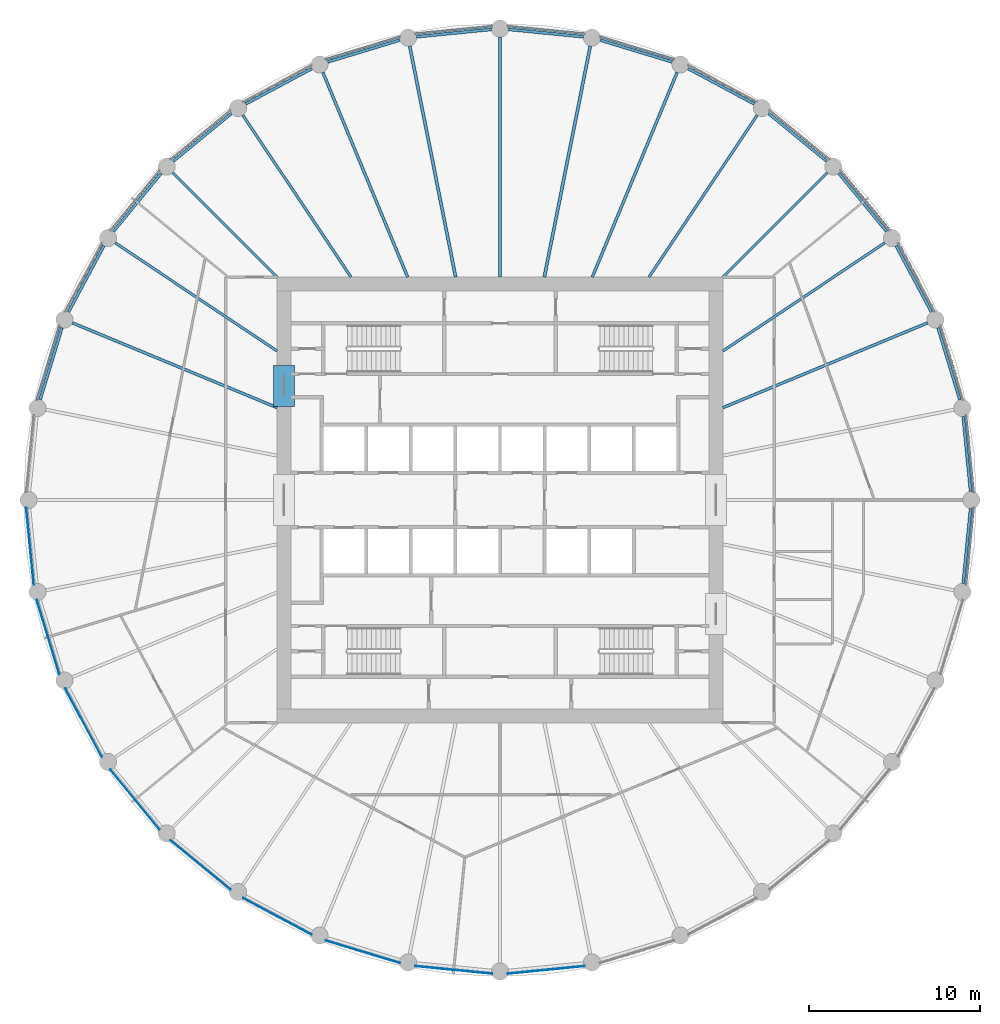
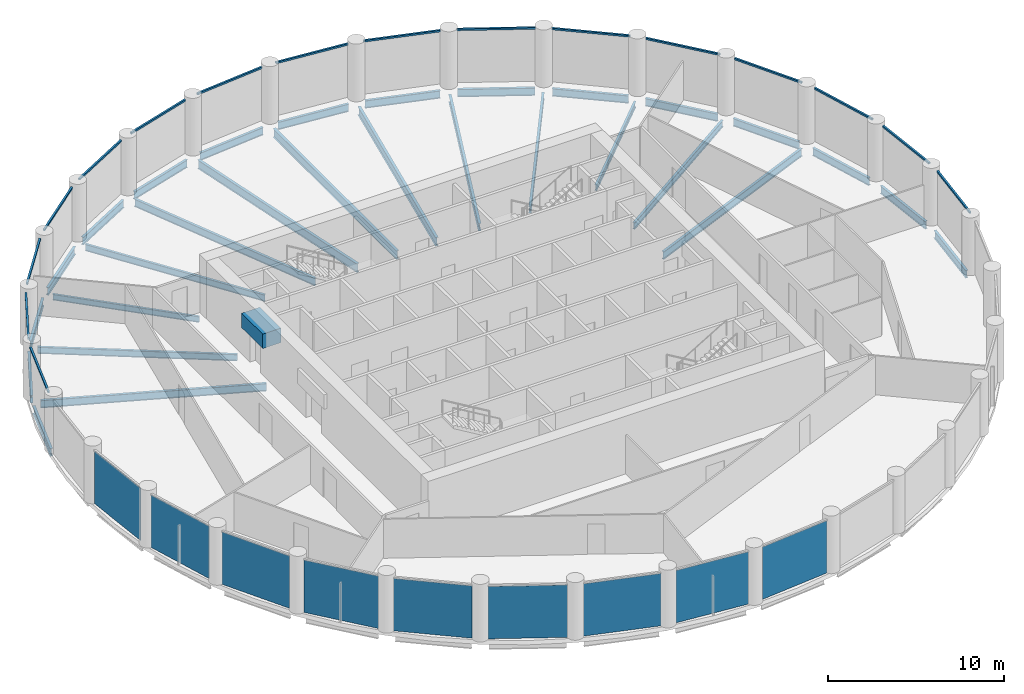
# One storey, part 2 of 8: 30 beams, 16 members, 9 plates, 25 elements without a shape of their own.
"""IFC4 building model written with IfcOpenShell, lengths in metres."""

from ifc_helpers import new_model, si_unit, direction, frame, origin, origin_2d, place, context, subcontext, project, spatial, rectangle, i_section, extrude, material, layer, layer_set, material_profile, profile_set, type_object, element, aggregate, save


model = new_model("IFC4")

# Units and contexts
model_context = context("Model", 3, precision=1e-05, world=origin(), true_north=direction((0.0, 1.0)))
body_context = subcontext(model_context, "Body", "Model", "MODEL_VIEW")
ifc_project = project(units=[si_unit("LENGTHUNIT", "METRE"), si_unit("AREAUNIT", "SQUARE_METRE"), si_unit("VOLUMEUNIT", "CUBIC_METRE"), si_unit("PLANEANGLEUNIT", "RADIAN"), si_unit("MASSUNIT", "GRAM", prefix="KILO")], contexts=[model_context])

# Site, building, storey
site_placement = place(None, origin())
site = spatial("IfcSite", under=ifc_project, at=site_placement, CompositionType="ELEMENT")
building_placement = place(site_placement, origin())
building = spatial("IfcBuilding", under=site, at=building_placement, Name="Corvane Civic Tower", CompositionType="ELEMENT")
storey_placement = place(building_placement, frame((0.0, 0.0, 205.5)))
storey = spatial("IfcBuildingStorey", under=building, at=storey_placement, Name="L48", CompositionType="ELEMENT", Elevation=205.5)

# Beams
ifc_material_1 = material(Name="Concrete C50/60", Category="concrete")
ifc_material_profile_1 = material_profile(ifc_material_1, rectangle(XDim=1.199951171875, YDim=1.0, at=origin_2d()), Name="COUPLING BEAM 1200X1000")
ifc_profile_set_1 = profile_set([ifc_material_profile_1], Name="Concrete C50/60")
beam_type_1 = type_object("IfcBeamType", Name="COUPLING BEAM COUPLING BEAM 1200X1000", PredefinedType="BEAM", material=ifc_profile_set_1)
beam_1_placement = place(storey_placement, frame((-12.60009765625, 5.449951171875, 2.60009765625), z_axis=(0.0, 1.0, 0.0), x_axis=(-1.0, 0.0, 0.0)))
element("IfcBeam", 1, at=beam_1_placement, inside=storey, type_object=beam_type_1, Name="BM-L48-cpl-CW-WN", PredefinedType="BEAM", context=body_context, shape_type="SweptSolid", body=[
    extrude(rectangle(XDim=1.199951171875, YDim=1.0, at=origin_2d()), origin(), (0.0, 0.0, 1.0), 2.400146484375),
])
ifc_material_2 = material(Name="Steel ASTM A992 Gr 50", Category="steel")
ifc_material_profile_2 = material_profile(ifc_material_2, i_section(OverallWidth=0.165771484375, OverallDepth=0.5283203125, WebThickness=0.009765625, FlangeThickness=0.013671875, at=origin_2d()), Name="W21X50")
ifc_profile_set_2 = profile_set([ifc_material_profile_2], Name="Steel ASTM A992 Gr 50")
beam_type_2 = type_object("IfcBeamType", Name="EDGE BEAM W21X50", PredefinedType="BEAM", material=ifc_profile_set_2)
beam_2_placement = place(storey_placement, frame((0.49755859375, 27.450927734375, -0.564208984375), z_axis=(0.995189593769, -0.097967711281, 0.0), x_axis=(0.097967711281, 0.995189593769, 0.0)))
element("IfcBeam", 2, at=beam_2_placement, inside=storey, type_object=beam_type_2, Name="BM-L48-E01", PredefinedType="BEAM", context=body_context, shape_type="SweptSolid", body=[
    extrude(i_section(OverallWidth=0.165771484375, OverallDepth=0.5283203125, WebThickness=0.009765625, FlangeThickness=0.013671875, at=origin_2d()), origin(), (0.0, 0.0, 1.0), 4.39111328125),
])
beam_3_placement = place(storey_placement, frame((5.843505859375, 26.826416015625, -0.564208984375), z_axis=(0.956949547653, -0.290254307888, 0.0), x_axis=(0.290254307888, 0.956949547653, 0.0)))
element("IfcBeam", 3, at=beam_3_placement, inside=storey, type_object=beam_type_2, Name="BM-L48-E02", PredefinedType="BEAM", context=body_context, shape_type="SweptSolid", body=[
    extrude(i_section(OverallWidth=0.165771484375, OverallDepth=0.5283203125, WebThickness=0.009765625, FlangeThickness=0.013671875, at=origin_2d()), origin(), (0.0, 0.0, 1.0), 4.390625),
])
for number, where, z_axis, x_axis, name in (
    (4, (10.964599609375, 25.171142578125, -0.564208984375), (0.881907756852, -0.471422006704, 0.0), (0.471422006704, 0.881907756852, 0.0), "BM-L48-E03"),
    (5, (15.66455078125, 22.54833984375, -0.564208984375), (0.773030026524, -0.634369433447, 0.0), (0.634369433447, 0.773030026524, 0.0), "BM-L48-E04"),
    (6, (19.7626953125, 19.05908203125, -0.564208984375), (0.634369433447, -0.773030026524, 0.0), (0.773030026524, 0.634369433447, 0.0), "BM-L48-E05"),
    (7, (23.10107421875, 14.837158203125, -0.564208984375), (0.471422006704, -0.881907756852, 0.0), (0.881907756852, 0.471422006704, 0.0), "BM-L48-E06"),
):
    element("IfcBeam", number, at=place(storey_placement, frame(where, z_axis=z_axis, x_axis=x_axis)), inside=storey, type_object=beam_type_2, Name=name, PredefinedType="BEAM", context=body_context, shape_type="SweptSolid", body=[
        extrude(i_section(OverallWidth=0.165771484375, OverallDepth=0.5283203125, WebThickness=0.009765625, FlangeThickness=0.013671875, at=origin_2d()), origin(), (0.0, 0.0, 1.0), 4.39111328125),
    ])
beam_4_placement = place(storey_placement, frame((25.552001953125, 10.045166015625, -0.564208984375), z_axis=(0.290254307888, -0.956949547653, 0.0), x_axis=(0.956949547653, 0.290254307888, 0.0)))
element("IfcBeam", 8, at=beam_4_placement, inside=storey, type_object=beam_type_2, Name="BM-L48-E07", PredefinedType="BEAM", context=body_context, shape_type="SweptSolid", body=[
    extrude(i_section(OverallWidth=0.165771484375, OverallDepth=0.5283203125, WebThickness=0.009765625, FlangeThickness=0.013671875, at=origin_2d()), origin(), (0.0, 0.0, 1.0), 4.390625),
])
for number, where, z_axis, x_axis, name in (
    (9, (27.020751953125, 4.867431640625, -0.564208984375), (0.097967711281, -0.995189593769, 0.0), (0.995189593769, 0.097967711281, 0.0), "BM-L48-E08"),
    (10, (27.450927734375, -0.49755859375, -0.564208984375), (-0.097967711281, -0.995189593769, 0.0), (0.995189593769, -0.097967711281, 0.0), "BM-L48-E09"),
):
    element("IfcBeam", number, at=place(storey_placement, frame(where, z_axis=z_axis, x_axis=x_axis)), inside=storey, type_object=beam_type_2, Name=name, PredefinedType="BEAM", context=body_context, shape_type="SweptSolid", body=[
        extrude(i_section(OverallWidth=0.165771484375, OverallDepth=0.5283203125, WebThickness=0.009765625, FlangeThickness=0.013671875, at=origin_2d()), origin(), (0.0, 0.0, 1.0), 4.39111328125),
    ])
beam_5_placement = place(storey_placement, frame((-26.826416015625, 5.843505859375, -0.564208984375), z_axis=(0.290254307888, 0.956949547653, 0.0), x_axis=(-0.956949547653, 0.290254307888, 0.0)))
element("IfcBeam", 11, at=beam_5_placement, inside=storey, type_object=beam_type_2, Name="BM-L48-E26", PredefinedType="BEAM", context=body_context, shape_type="SweptSolid", body=[
    extrude(i_section(OverallWidth=0.165771484375, OverallDepth=0.5283203125, WebThickness=0.009765625, FlangeThickness=0.013671875, at=origin_2d()), origin(), (0.0, 0.0, 1.0), 4.390625),
])
for number, where, z_axis, x_axis, name in (
    (12, (-25.171142578125, 10.964599609375, -0.564208984375), (0.471422006704, 0.881907756852, 0.0), (-0.881907756852, 0.471422006704, 0.0), "BM-L48-E27"),
    (13, (-22.54833984375, 15.66455078125, -0.564208984375), (0.634369433447, 0.773030026524, 0.0), (-0.773030026524, 0.634369433447, 0.0), "BM-L48-E28"),
    (14, (-19.05908203125, 19.7626953125, -0.564208984375), (0.773030026524, 0.634369433447, 0.0), (-0.634369433447, 0.773030026524, 0.0), "BM-L48-E29"),
    (15, (-14.837158203125, 23.10107421875, -0.564208984375), (0.881907756852, 0.471422006704, 0.0), (-0.471422006704, 0.881907756852, 0.0), "BM-L48-E30"),
):
    element("IfcBeam", number, at=place(storey_placement, frame(where, z_axis=z_axis, x_axis=x_axis)), inside=storey, type_object=beam_type_2, Name=name, PredefinedType="BEAM", context=body_context, shape_type="SweptSolid", body=[
        extrude(i_section(OverallWidth=0.165771484375, OverallDepth=0.5283203125, WebThickness=0.009765625, FlangeThickness=0.013671875, at=origin_2d()), origin(), (0.0, 0.0, 1.0), 4.39111328125),
    ])
beam_6_placement = place(storey_placement, frame((-10.045166015625, 25.552001953125, -0.564208984375), z_axis=(0.956949547653, 0.290254307888, 0.0), x_axis=(-0.290254307888, 0.956949547653, 0.0)))
element("IfcBeam", 16, at=beam_6_placement, inside=storey, type_object=beam_type_2, Name="BM-L48-E31", PredefinedType="BEAM", context=body_context, shape_type="SweptSolid", body=[
    extrude(i_section(OverallWidth=0.165771484375, OverallDepth=0.5283203125, WebThickness=0.009765625, FlangeThickness=0.013671875, at=origin_2d()), origin(), (0.0, 0.0, 1.0), 4.390625),
])
beam_7_placement = place(storey_placement, frame((-4.867431640625, 27.020751953125, -0.564208984375), z_axis=(0.995189593769, 0.097967711281, 0.0), x_axis=(-0.097967711281, 0.995189593769, 0.0)))
element("IfcBeam", 17, at=beam_7_placement, inside=storey, type_object=beam_type_2, Name="BM-L48-E32", PredefinedType="BEAM", context=body_context, shape_type="SweptSolid", body=[
    extrude(i_section(OverallWidth=0.165771484375, OverallDepth=0.5283203125, WebThickness=0.009765625, FlangeThickness=0.013671875, at=origin_2d()), origin(), (0.0, 0.0, 1.0), 4.39111328125),
])
ifc_material_3 = material(Name="Steel ASTM A992 Gr 50", Category="steel")
ifc_material_profile_3 = material_profile(ifc_material_3, i_section(OverallWidth=0.140380859375, OverallDepth=0.40380859375, WebThickness=0.007080078125, FlangeThickness=0.01123046875, at=origin_2d()), Name="W16X31")
ifc_profile_set_3 = profile_set([ifc_material_profile_3], Name="Steel ASTM A992 Gr 50")
beam_type_3 = type_object("IfcBeamType", Name="FLOOR GIRDER W16X31", PredefinedType="BEAM", material=ifc_profile_set_3)
for number, where, z_axis, x_axis, name in (
    (18, (13.0, 13.0, -0.501953125), (0.707106781187, 0.707106781187, 0.0), (-0.707106781187, 0.707106781187, 0.0), "BM-L48-G05"),
    (19, (-13.0, 13.0, -0.501953125), (-0.707106781187, 0.707106781187, 0.0), (-0.707106781187, -0.707106781187, 0.0), "BM-L48-G29"),
):
    element("IfcBeam", number, at=place(storey_placement, frame(where, z_axis=z_axis, x_axis=x_axis)), inside=storey, type_object=beam_type_3, Name=name, PredefinedType="BEAM", context=body_context, shape_type="SweptSolid", body=[
        extrude(i_section(OverallWidth=0.140380859375, OverallDepth=0.40380859375, WebThickness=0.007080078125, FlangeThickness=0.01123046875, at=origin_2d()), origin(), (0.0, 0.0, 1.0), 8.614990234375),
    ])
ifc_material_4 = material(Name="Steel ASTM A992 Gr 50", Category="steel")
ifc_material_profile_4 = material_profile(ifc_material_4, i_section(OverallWidth=0.15283203125, OverallDepth=0.45458984375, WebThickness=0.008056640625, FlangeThickness=0.013427734375, at=origin_2d()), Name="W18X40")
ifc_profile_set_4 = profile_set([ifc_material_profile_4], Name="Steel ASTM A992 Gr 50")
beam_type_4 = type_object("IfcBeamType", Name="FLOOR GIRDER W18X40", PredefinedType="BEAM", material=ifc_profile_set_4)
for number, where, z_axis, x_axis, name in (
    (20, (8.686279296875, 13.0, -0.52734375), (0.555577326485, 0.831464872557, 0.0), (-0.831464872557, 0.555577326485, 0.0), "BM-L48-G04"),
    (21, (13.0, 8.686279296875, -0.52734375), (0.831464872557, 0.555577326485, 0.0), (-0.555577326485, 0.831464872557, 0.0), "BM-L48-G06"),
    (22, (-13.0, 8.686279296875, -0.52734375), (-0.831464872557, 0.555577326485, 0.0), (-0.555577326485, -0.831464872557, 0.0), "BM-L48-G28"),
    (23, (-8.686279296875, 13.0, -0.52734375), (-0.555577326485, 0.831464872557, 0.0), (-0.831464872557, -0.555577326485, 0.0), "BM-L48-G30"),
):
    element("IfcBeam", number, at=place(storey_placement, frame(where, z_axis=z_axis, x_axis=x_axis)), inside=storey, type_object=beam_type_4, Name=name, PredefinedType="BEAM", context=body_context, shape_type="SweptSolid", body=[
        extrude(i_section(OverallWidth=0.15283203125, OverallDepth=0.45458984375, WebThickness=0.008056640625, FlangeThickness=0.013427734375, at=origin_2d()), origin(), (0.0, 0.0, 1.0), 11.365234375),
    ])
ifc_material_5 = material(Name="Steel ASTM A992 Gr 50", Category="steel")
ifc_material_profile_5 = material_profile(ifc_material_5, i_section(OverallWidth=0.165771484375, OverallDepth=0.5283203125, WebThickness=0.009765625, FlangeThickness=0.013671875, at=origin_2d()), Name="W21X50")
ifc_profile_set_5 = profile_set([ifc_material_profile_5], Name="Steel ASTM A992 Gr 50")
beam_type_5 = type_object("IfcBeamType", Name="FLOOR GIRDER W21X50", PredefinedType="BEAM", material=ifc_profile_set_5)
for number, where, z_axis, x_axis, name in (
    (24, (5.384765625, 13.0, -0.564208984375), (0.382686450378, 0.923878282404, 0.0), (-0.923878282404, 0.382686450378, 0.0), "BM-L48-G03"),
    (25, (13.0, 5.384765625, -0.564208984375), (0.923878282404, 0.382686450378, 0.0), (-0.382686450378, 0.923878282404, 0.0), "BM-L48-G07"),
    (26, (-13.0, 5.384765625, -0.564208984375), (-0.923878282404, 0.382686450378, 0.0), (-0.382686450378, -0.923878282404, 0.0), "BM-L48-G27"),
    (27, (-5.384765625, 13.0, -0.564208984375), (-0.382686450378, 0.923878282404, 0.0), (-0.923878282404, -0.382686450378, 0.0), "BM-L48-G31"),
):
    element("IfcBeam", number, at=place(storey_placement, frame(where, z_axis=z_axis, x_axis=x_axis)), inside=storey, type_object=beam_type_5, Name=name, PredefinedType="BEAM", context=body_context, shape_type="SweptSolid", body=[
        extrude(i_section(OverallWidth=0.165771484375, OverallDepth=0.5283203125, WebThickness=0.009765625, FlangeThickness=0.013671875, at=origin_2d()), origin(), (0.0, 0.0, 1.0), 12.928955078125),
    ])
ifc_material_6 = material(Name="Steel ASTM A992 Gr 50", Category="steel")
ifc_material_profile_6 = material_profile(ifc_material_6, i_section(OverallWidth=0.177978515625, OverallDepth=0.599365234375, WebThickness=0.010009765625, FlangeThickness=0.012939453125, at=origin_2d()), Name="W24X55")
ifc_profile_set_6 = profile_set([ifc_material_profile_6], Name="Steel ASTM A992 Gr 50")
beam_type_6 = type_object("IfcBeamType", Name="FLOOR GIRDER W24X55", PredefinedType="BEAM", material=ifc_profile_set_6)
beam_8_placement = place(storey_placement, frame((0.0, 13.0, -0.599609375), z_axis=(0.0, 1.0, 0.0), x_axis=(-1.0, 0.0, 0.0)))
element("IfcBeam", 28, at=beam_8_placement, inside=storey, type_object=beam_type_6, Name="BM-L48-G01", PredefinedType="BEAM", context=body_context, shape_type="SweptSolid", body=[
    extrude(i_section(OverallWidth=0.177978515625, OverallDepth=0.599365234375, WebThickness=0.010009765625, FlangeThickness=0.012939453125, at=origin_2d()), origin(), (0.0, 0.0, 1.0), 14.0),
])
for number, where, z_axis, x_axis, name in (
    (29, (2.5859375, 13.0, -0.599609375), (0.195077644118, 0.980787802109, 0.0), (-0.980787802109, 0.195077644118, 0.0), "BM-L48-G02"),
    (30, (-2.5859375, 13.0, -0.599609375), (-0.195077644118, 0.980787802109, 0.0), (-0.980787802109, -0.195077644118, 0.0), "BM-L48-G32"),
):
    element("IfcBeam", number, at=place(storey_placement, frame(where, z_axis=z_axis, x_axis=x_axis)), inside=storey, type_object=beam_type_6, Name=name, PredefinedType="BEAM", context=body_context, shape_type="SweptSolid", body=[
        extrude(i_section(OverallWidth=0.177978515625, OverallDepth=0.599365234375, WebThickness=0.010009765625, FlangeThickness=0.012939453125, at=origin_2d()), origin(), (0.0, 0.0, 1.0), 13.745361328125),
    ])

# Curtain wall, member
ifc_material_7 = material(Name="Anodised aluminium bronze", Category="aluminium")
curtain_wall_type = type_object("IfcCurtainWallType", Name="TOWER CW-T2 STICK CURTAIN WALL", PredefinedType="NOTDEFINED", material=ifc_material_7)
curtain_wall_1_placement = place(storey_placement, origin())
curtain_wall_1 = element("IfcCurtainWall", 31, at=curtain_wall_1_placement, inside=storey, type_object=curtain_wall_type, Name="Curtain wall CW-T2 L48 bay 01", PredefinedType="NOTDEFINED")
ifc_material_8 = material(Name="Anodised aluminium bronze", Category="aluminium")
ifc_material_profile_7 = material_profile(ifc_material_8, rectangle(XDim=0.1201171875, YDim=0.1201171875, at=origin_2d()), Name="TOWER CW-T2 TRANSOM 120x120")
ifc_profile_set_7 = profile_set([ifc_material_profile_7], Name="Anodised aluminium bronze")
member_type = type_object("IfcMemberType", Name="TOWER CW-T2 TRANSOM 120x120", PredefinedType="USERDEFINED", material=ifc_profile_set_7)
member_1_placement = place(storey_placement, frame((0.452392578125, 27.635498046875, 3.68994140625), z_axis=(0.995182207386, -0.098042715701, 0.0), x_axis=(0.098042715701, 0.995182207386, 0.0)))
member_1 = element("IfcMember", 32, at=member_1_placement, type_object=member_type, Name="Transom CW-T2 L48 01.1", ObjectType="TRANSOM", PredefinedType="USERDEFINED", context=body_context, shape_type="SweptSolid", body=[
    extrude(rectangle(XDim=0.1201171875, YDim=0.1201171875, at=origin_2d()), origin(), (0.0, 0.0, 1.0), 4.51708984375),
])
aggregate(curtain_wall_1, [member_1])

curtain_wall_2_placement = place(storey_placement, origin())
curtain_wall_2 = element("IfcCurtainWall", 33, at=curtain_wall_2_placement, inside=storey, type_object=curtain_wall_type, Name="Curtain wall CW-T2 L48 bay 02", PredefinedType="NOTDEFINED")
member_2_placement = place(storey_placement, frame((5.8349609375, 27.016357421875, 3.68994140625), z_axis=(0.956941182173, -0.2902818869, 0.0), x_axis=(0.2902818869, 0.956941182173, 0.0)))
member_2 = element("IfcMember", 34, at=member_2_placement, type_object=member_type, Name="Transom CW-T2 L48 02.1", ObjectType="TRANSOM", PredefinedType="USERDEFINED", context=body_context, shape_type="SweptSolid", body=[
    extrude(rectangle(XDim=0.1201171875, YDim=0.1201171875, at=origin_2d()), origin(), (0.0, 0.0, 1.0), 4.517333984375),
])
aggregate(curtain_wall_2, [member_2])

curtain_wall_3_placement = place(storey_placement, origin())
curtain_wall_3 = element("IfcCurtainWall", 35, at=curtain_wall_3_placement, inside=storey, type_object=curtain_wall_type, Name="Curtain wall CW-T2 L48 bay 03", PredefinedType="NOTDEFINED")
member_3_placement = place(storey_placement, frame((10.993408203125, 25.35888671875, 3.68994140625), z_axis=(0.881924695689, -0.471390317183, 0.0), x_axis=(0.471390317183, 0.881924695689, 0.0)))
member_3 = element("IfcMember", 36, at=member_3_placement, type_object=member_type, Name="Transom CW-T2 L48 03.1", ObjectType="TRANSOM", PredefinedType="USERDEFINED", context=body_context, shape_type="SweptSolid", body=[
    extrude(rectangle(XDim=0.1201171875, YDim=0.1201171875, at=origin_2d()), origin(), (0.0, 0.0, 1.0), 4.517333984375),
])
aggregate(curtain_wall_3, [member_3])

curtain_wall_4_placement = place(storey_placement, origin())
curtain_wall_4 = element("IfcCurtainWall", 37, at=curtain_wall_4_placement, inside=storey, type_object=curtain_wall_type, Name="Curtain wall CW-T2 L48 bay 04", PredefinedType="NOTDEFINED")
member_4_placement = place(storey_placement, frame((15.7294921875, 22.726806640625, 3.68994140625), z_axis=(0.773014925698, -0.634387834569, 0.0), x_axis=(0.634387834569, 0.773014925698, 0.0)))
member_4 = element("IfcMember", 38, at=member_4_placement, type_object=member_type, Name="Transom CW-T2 L48 04.1", ObjectType="TRANSOM", PredefinedType="USERDEFINED", context=body_context, shape_type="SweptSolid", body=[
    extrude(rectangle(XDim=0.1201171875, YDim=0.1201171875, at=origin_2d()), origin(), (0.0, 0.0, 1.0), 4.517333984375),
])
aggregate(curtain_wall_4, [member_4])

curtain_wall_5_placement = place(storey_placement, origin())
curtain_wall_5 = element("IfcCurtainWall", 39, at=curtain_wall_5_placement, inside=storey, type_object=curtain_wall_type, Name="Curtain wall CW-T2 L48 bay 05", PredefinedType="NOTDEFINED")
member_5_placement = place(storey_placement, frame((19.861083984375, 19.221435546875, 3.68994140625), z_axis=(0.634387834569, -0.773014925698, 0.0), x_axis=(0.773014925698, 0.634387834569, 0.0)))
member_5 = element("IfcMember", 40, at=member_5_placement, type_object=member_type, Name="Transom CW-T2 L48 05.1", ObjectType="TRANSOM", PredefinedType="USERDEFINED", context=body_context, shape_type="SweptSolid", body=[
    extrude(rectangle(XDim=0.1201171875, YDim=0.1201171875, at=origin_2d()), origin(), (0.0, 0.0, 1.0), 4.517333984375),
])
aggregate(curtain_wall_5, [member_5])

curtain_wall_6_placement = place(storey_placement, origin())
curtain_wall_6 = element("IfcCurtainWall", 41, at=curtain_wall_6_placement, inside=storey, type_object=curtain_wall_type, Name="Curtain wall CW-T2 L48 bay 06", PredefinedType="NOTDEFINED")
member_6_placement = place(storey_placement, frame((23.2294921875, 14.977294921875, 3.68994140625), z_axis=(0.471390317183, -0.881924695689, 0.0), x_axis=(0.881924695689, 0.471390317183, 0.0)))
member_6 = element("IfcMember", 42, at=member_6_placement, type_object=member_type, Name="Transom CW-T2 L48 06.1", ObjectType="TRANSOM", PredefinedType="USERDEFINED", context=body_context, shape_type="SweptSolid", body=[
    extrude(rectangle(XDim=0.1201171875, YDim=0.1201171875, at=origin_2d()), origin(), (0.0, 0.0, 1.0), 4.517333984375),
])
aggregate(curtain_wall_6, [member_6])

curtain_wall_7_placement = place(storey_placement, origin())
curtain_wall_7 = element("IfcCurtainWall", 43, at=curtain_wall_7_placement, inside=storey, type_object=curtain_wall_type, Name="Curtain wall CW-T2 L48 bay 07", PredefinedType="NOTDEFINED")
member_7_placement = place(storey_placement, frame((25.705078125, 10.15771484375, 3.68994140625), z_axis=(0.2902818869, -0.956941182173, 0.0), x_axis=(0.956941182173, 0.2902818869, 0.0)))
member_7 = element("IfcMember", 44, at=member_7_placement, type_object=member_type, Name="Transom CW-T2 L48 07.1", ObjectType="TRANSOM", PredefinedType="USERDEFINED", context=body_context, shape_type="SweptSolid", body=[
    extrude(rectangle(XDim=0.1201171875, YDim=0.1201171875, at=origin_2d()), origin(), (0.0, 0.0, 1.0), 4.517333984375),
])
aggregate(curtain_wall_7, [member_7])

curtain_wall_8_placement = place(storey_placement, origin())
curtain_wall_8 = element("IfcCurtainWall", 45, at=curtain_wall_8_placement, inside=storey, type_object=curtain_wall_type, Name="Curtain wall CW-T2 L48 bay 08", PredefinedType="NOTDEFINED")
member_8_placement = place(storey_placement, frame((27.192626953125, 4.94775390625, 3.68994140625), z_axis=(0.098042715701, -0.995182207386, 0.0), x_axis=(0.995182207386, 0.098042715701, 0.0)))
member_8 = element("IfcMember", 46, at=member_8_placement, type_object=member_type, Name="Transom CW-T2 L48 08.1", ObjectType="TRANSOM", PredefinedType="USERDEFINED", context=body_context, shape_type="SweptSolid", body=[
    extrude(rectangle(XDim=0.1201171875, YDim=0.1201171875, at=origin_2d()), origin(), (0.0, 0.0, 1.0), 4.51708984375),
])
aggregate(curtain_wall_8, [member_8])

curtain_wall_9_placement = place(storey_placement, origin())
curtain_wall_9 = element("IfcCurtainWall", 47, at=curtain_wall_9_placement, inside=storey, type_object=curtain_wall_type, Name="Curtain wall CW-T2 L48 bay 09", PredefinedType="NOTDEFINED")
member_9_placement = place(storey_placement, frame((27.635498046875, -0.452392578125, 3.68994140625), z_axis=(-0.098042715701, -0.995182207386, 0.0), x_axis=(0.995182207386, -0.098042715701, 0.0)))
member_9 = element("IfcMember", 48, at=member_9_placement, type_object=member_type, Name="Transom CW-T2 L48 09.1", ObjectType="TRANSOM", PredefinedType="USERDEFINED", context=body_context, shape_type="SweptSolid", body=[
    extrude(rectangle(XDim=0.1201171875, YDim=0.1201171875, at=origin_2d()), origin(), (0.0, 0.0, 1.0), 4.51708984375),
])
aggregate(curtain_wall_9, [member_9])

curtain_wall_10_placement = place(storey_placement, origin())
curtain_wall_10 = element("IfcCurtainWall", 49, at=curtain_wall_10_placement, inside=storey, type_object=curtain_wall_type, Name="Curtain wall CW-T2 L48 bay 26", PredefinedType="NOTDEFINED")
member_10_placement = place(storey_placement, frame((-27.016357421875, 5.8349609375, 3.68994140625), z_axis=(0.2902818869, 0.956941182173, 0.0), x_axis=(-0.956941182173, 0.2902818869, 0.0)))
member_10 = element("IfcMember", 50, at=member_10_placement, type_object=member_type, Name="Transom CW-T2 L48 26.1", ObjectType="TRANSOM", PredefinedType="USERDEFINED", context=body_context, shape_type="SweptSolid", body=[
    extrude(rectangle(XDim=0.1201171875, YDim=0.1201171875, at=origin_2d()), origin(), (0.0, 0.0, 1.0), 4.517333984375),
])
aggregate(curtain_wall_10, [member_10])

curtain_wall_11_placement = place(storey_placement, origin())
curtain_wall_11 = element("IfcCurtainWall", 51, at=curtain_wall_11_placement, inside=storey, type_object=curtain_wall_type, Name="Curtain wall CW-T2 L48 bay 27", PredefinedType="NOTDEFINED")
member_11_placement = place(storey_placement, frame((-25.35888671875, 10.993408203125, 3.68994140625), z_axis=(0.471390317183, 0.881924695689, 0.0), x_axis=(-0.881924695689, 0.471390317183, 0.0)))
member_11 = element("IfcMember", 52, at=member_11_placement, type_object=member_type, Name="Transom CW-T2 L48 27.1", ObjectType="TRANSOM", PredefinedType="USERDEFINED", context=body_context, shape_type="SweptSolid", body=[
    extrude(rectangle(XDim=0.1201171875, YDim=0.1201171875, at=origin_2d()), origin(), (0.0, 0.0, 1.0), 4.517333984375),
])
aggregate(curtain_wall_11, [member_11])

curtain_wall_12_placement = place(storey_placement, origin())
curtain_wall_12 = element("IfcCurtainWall", 53, at=curtain_wall_12_placement, inside=storey, type_object=curtain_wall_type, Name="Curtain wall CW-T2 L48 bay 28", PredefinedType="NOTDEFINED")
member_12_placement = place(storey_placement, frame((-22.726806640625, 15.7294921875, 3.68994140625), z_axis=(0.634387834569, 0.773014925698, 0.0), x_axis=(-0.773014925698, 0.634387834569, 0.0)))
member_12 = element("IfcMember", 54, at=member_12_placement, type_object=member_type, Name="Transom CW-T2 L48 28.1", ObjectType="TRANSOM", PredefinedType="USERDEFINED", context=body_context, shape_type="SweptSolid", body=[
    extrude(rectangle(XDim=0.1201171875, YDim=0.1201171875, at=origin_2d()), origin(), (0.0, 0.0, 1.0), 4.517333984375),
])
aggregate(curtain_wall_12, [member_12])

curtain_wall_13_placement = place(storey_placement, origin())
curtain_wall_13 = element("IfcCurtainWall", 55, at=curtain_wall_13_placement, inside=storey, type_object=curtain_wall_type, Name="Curtain wall CW-T2 L48 bay 29", PredefinedType="NOTDEFINED")
member_13_placement = place(storey_placement, frame((-19.221435546875, 19.861083984375, 3.68994140625), z_axis=(0.773014925698, 0.634387834569, 0.0), x_axis=(-0.634387834569, 0.773014925698, 0.0)))
member_13 = element("IfcMember", 56, at=member_13_placement, type_object=member_type, Name="Transom CW-T2 L48 29.1", ObjectType="TRANSOM", PredefinedType="USERDEFINED", context=body_context, shape_type="SweptSolid", body=[
    extrude(rectangle(XDim=0.1201171875, YDim=0.1201171875, at=origin_2d()), origin(), (0.0, 0.0, 1.0), 4.517333984375),
])
aggregate(curtain_wall_13, [member_13])

curtain_wall_14_placement = place(storey_placement, origin())
curtain_wall_14 = element("IfcCurtainWall", 57, at=curtain_wall_14_placement, inside=storey, type_object=curtain_wall_type, Name="Curtain wall CW-T2 L48 bay 30", PredefinedType="NOTDEFINED")
member_14_placement = place(storey_placement, frame((-14.977294921875, 23.2294921875, 3.68994140625), z_axis=(0.881924695689, 0.471390317183, 0.0), x_axis=(-0.471390317183, 0.881924695689, 0.0)))
member_14 = element("IfcMember", 58, at=member_14_placement, type_object=member_type, Name="Transom CW-T2 L48 30.1", ObjectType="TRANSOM", PredefinedType="USERDEFINED", context=body_context, shape_type="SweptSolid", body=[
    extrude(rectangle(XDim=0.1201171875, YDim=0.1201171875, at=origin_2d()), origin(), (0.0, 0.0, 1.0), 4.517333984375),
])
aggregate(curtain_wall_14, [member_14])

curtain_wall_15_placement = place(storey_placement, origin())
curtain_wall_15 = element("IfcCurtainWall", 59, at=curtain_wall_15_placement, inside=storey, type_object=curtain_wall_type, Name="Curtain wall CW-T2 L48 bay 31", PredefinedType="NOTDEFINED")
member_15_placement = place(storey_placement, frame((-10.15771484375, 25.705078125, 3.68994140625), z_axis=(0.956941182173, 0.2902818869, 0.0), x_axis=(-0.2902818869, 0.956941182173, 0.0)))
member_15 = element("IfcMember", 60, at=member_15_placement, type_object=member_type, Name="Transom CW-T2 L48 31.1", ObjectType="TRANSOM", PredefinedType="USERDEFINED", context=body_context, shape_type="SweptSolid", body=[
    extrude(rectangle(XDim=0.1201171875, YDim=0.1201171875, at=origin_2d()), origin(), (0.0, 0.0, 1.0), 4.517333984375),
])
aggregate(curtain_wall_15, [member_15])

curtain_wall_16_placement = place(storey_placement, origin())
curtain_wall_16 = element("IfcCurtainWall", 61, at=curtain_wall_16_placement, inside=storey, type_object=curtain_wall_type, Name="Curtain wall CW-T2 L48 bay 32", PredefinedType="NOTDEFINED")
member_16_placement = place(storey_placement, frame((-4.94775390625, 27.192626953125, 3.68994140625), z_axis=(0.995182207386, 0.098042715701, 0.0), x_axis=(-0.098042715701, 0.995182207386, 0.0)))
member_16 = element("IfcMember", 62, at=member_16_placement, type_object=member_type, Name="Transom CW-T2 L48 32.1", ObjectType="TRANSOM", PredefinedType="USERDEFINED", context=body_context, shape_type="SweptSolid", body=[
    extrude(rectangle(XDim=0.1201171875, YDim=0.1201171875, at=origin_2d()), origin(), (0.0, 0.0, 1.0), 4.51708984375),
])
aggregate(curtain_wall_16, [member_16])

# Curtain wall, plate
curtain_wall_17_placement = place(storey_placement, origin())
curtain_wall_17 = element("IfcCurtainWall", 63, at=curtain_wall_17_placement, inside=storey, type_object=curtain_wall_type, Name="Curtain wall CW-T2 L48 bay 16", PredefinedType="NOTDEFINED")
ifc_material_9 = material(Name="Tinted glass", Category="glass")
ifc_layer = layer(ifc_material_9, 0.031982421875)
ifc_layer_set = layer_set([ifc_layer], Name="Tinted glass")
plate_type = type_object("IfcPlateType", Name="TOWER CW-T2 PANEL IGU32", PredefinedType="CURTAIN_PANEL", material=ifc_layer_set)
plate_1_placement = place(storey_placement, frame((2.699951171875, -27.4140625, 0.0), z_axis=(0.0, 0.0, 1.0), x_axis=(-0.995187058378, -0.097993463235, 0.0)))
plate_1 = element("IfcPlate", 64, at=plate_1_placement, type_object=plate_type, Name="Glass panel CW-T2 L48 16.1", PredefinedType="CURTAIN_PANEL", context=body_context, shape_type="SweptSolid", body=[
    extrude(rectangle(XDim=4.517333984375, YDim=0.031982421875, at=origin_2d()), origin(), (0.0, 0.0, 1.0), 3.6298828125),
])
aggregate(curtain_wall_17, [plate_1])

curtain_wall_18_placement = place(storey_placement, origin())
curtain_wall_18 = element("IfcCurtainWall", 65, at=curtain_wall_18_placement, inside=storey, type_object=curtain_wall_type, Name="Curtain wall CW-T2 L48 bay 17", PredefinedType="NOTDEFINED")
plate_2_placement = place(storey_placement, frame((-2.699951171875, -27.4140625, 0.0), z_axis=(0.0, 0.0, 1.0), x_axis=(-0.995187058378, 0.097993463235, 0.0)))
plate_2 = element("IfcPlate", 66, at=plate_2_placement, type_object=plate_type, Name="Glass panel CW-T2 L48 17.1", PredefinedType="CURTAIN_PANEL", context=body_context, shape_type="SweptSolid", body=[
    extrude(rectangle(XDim=4.517333984375, YDim=0.031982421875, at=origin_2d()), origin(), (0.0, 0.0, 1.0), 3.6298828125),
])
aggregate(curtain_wall_18, [plate_2])

curtain_wall_19_placement = place(storey_placement, origin())
curtain_wall_19 = element("IfcCurtainWall", 67, at=curtain_wall_19_placement, inside=storey, type_object=curtain_wall_type, Name="Curtain wall CW-T2 L48 bay 18", PredefinedType="NOTDEFINED")
plate_3_placement = place(storey_placement, frame((-7.996337890625, -26.360595703125, 0.0), z_axis=(0.0, 0.0, 1.0), x_axis=(-0.956938843612, 0.290289596069, 0.0)))
plate_3 = element("IfcPlate", 68, at=plate_3_placement, type_object=plate_type, Name="Glass panel CW-T2 L48 18.1", PredefinedType="CURTAIN_PANEL", context=body_context, shape_type="SweptSolid", body=[
    extrude(rectangle(XDim=4.517333984375, YDim=0.031982421875, at=origin_2d()), origin(), (0.0, 0.0, 1.0), 3.6298828125),
])
aggregate(curtain_wall_19, [plate_3])

curtain_wall_20_placement = place(storey_placement, origin())
curtain_wall_20 = element("IfcCurtainWall", 69, at=curtain_wall_20_placement, inside=storey, type_object=curtain_wall_type, Name="Curtain wall CW-T2 L48 bay 19", PredefinedType="NOTDEFINED")
plate_4_placement = place(storey_placement, frame((-12.9853515625, -24.294189453125, 0.0), z_axis=(0.0, 0.0, 1.0), x_axis=(-0.881920381001, 0.471398389449, 0.0)))
plate_4 = element("IfcPlate", 70, at=plate_4_placement, type_object=plate_type, Name="Glass panel CW-T2 L48 19.1", PredefinedType="CURTAIN_PANEL", context=body_context, shape_type="SweptSolid", body=[
    extrude(rectangle(XDim=4.517333984375, YDim=0.031982421875, at=origin_2d()), origin(), (0.0, 0.0, 1.0), 3.6298828125),
])
aggregate(curtain_wall_20, [plate_4])

curtain_wall_21_placement = place(storey_placement, origin())
curtain_wall_21 = element("IfcCurtainWall", 71, at=curtain_wall_21_placement, inside=storey, type_object=curtain_wall_type, Name="Curtain wall CW-T2 L48 bay 20", PredefinedType="NOTDEFINED")
plate_5_placement = place(storey_placement, frame((-17.475341796875, -21.2939453125, 0.0), z_axis=(0.0, 0.0, 1.0), x_axis=(-0.773012269331, 0.634391071394, 0.0)))
plate_5 = element("IfcPlate", 72, at=plate_5_placement, type_object=plate_type, Name="Glass panel CW-T2 L48 20.1", PredefinedType="CURTAIN_PANEL", context=body_context, shape_type="SweptSolid", body=[
    extrude(rectangle(XDim=4.517333984375, YDim=0.031982421875, at=origin_2d()), origin(), (0.0, 0.0, 1.0), 3.6298828125),
])
aggregate(curtain_wall_21, [plate_5])

curtain_wall_22_placement = place(storey_placement, origin())
curtain_wall_22 = element("IfcCurtainWall", 73, at=curtain_wall_22_placement, inside=storey, type_object=curtain_wall_type, Name="Curtain wall CW-T2 L48 bay 21", PredefinedType="NOTDEFINED")
plate_6_placement = place(storey_placement, frame((-21.2939453125, -17.475341796875, 0.0), z_axis=(0.0, 0.0, 1.0), x_axis=(-0.634391071394, 0.773012269331, 0.0)))
plate_6 = element("IfcPlate", 74, at=plate_6_placement, type_object=plate_type, Name="Glass panel CW-T2 L48 21.1", PredefinedType="CURTAIN_PANEL", context=body_context, shape_type="SweptSolid", body=[
    extrude(rectangle(XDim=4.517333984375, YDim=0.031982421875, at=origin_2d()), origin(), (0.0, 0.0, 1.0), 3.6298828125),
])
aggregate(curtain_wall_22, [plate_6])

curtain_wall_23_placement = place(storey_placement, origin())
curtain_wall_23 = element("IfcCurtainWall", 75, at=curtain_wall_23_placement, inside=storey, type_object=curtain_wall_type, Name="Curtain wall CW-T2 L48 bay 22", PredefinedType="NOTDEFINED")
plate_7_placement = place(storey_placement, frame((-24.294189453125, -12.9853515625, 0.0), z_axis=(0.0, 0.0, 1.0), x_axis=(-0.471398389449, 0.881920381001, 0.0)))
plate_7 = element("IfcPlate", 76, at=plate_7_placement, type_object=plate_type, Name="Glass panel CW-T2 L48 22.1", PredefinedType="CURTAIN_PANEL", context=body_context, shape_type="SweptSolid", body=[
    extrude(rectangle(XDim=4.517333984375, YDim=0.031982421875, at=origin_2d()), origin(), (0.0, 0.0, 1.0), 3.6298828125),
])
aggregate(curtain_wall_23, [plate_7])

curtain_wall_24_placement = place(storey_placement, origin())
curtain_wall_24 = element("IfcCurtainWall", 77, at=curtain_wall_24_placement, inside=storey, type_object=curtain_wall_type, Name="Curtain wall CW-T2 L48 bay 23", PredefinedType="NOTDEFINED")
plate_8_placement = place(storey_placement, frame((-26.360595703125, -7.996337890625, 0.0), z_axis=(0.0, 0.0, 1.0), x_axis=(-0.290289596069, 0.956938843612, 0.0)))
plate_8 = element("IfcPlate", 78, at=plate_8_placement, type_object=plate_type, Name="Glass panel CW-T2 L48 23.1", PredefinedType="CURTAIN_PANEL", context=body_context, shape_type="SweptSolid", body=[
    extrude(rectangle(XDim=4.517333984375, YDim=0.031982421875, at=origin_2d()), origin(), (0.0, 0.0, 1.0), 3.6298828125),
])
aggregate(curtain_wall_24, [plate_8])

curtain_wall_25_placement = place(storey_placement, origin())
curtain_wall_25 = element("IfcCurtainWall", 79, at=curtain_wall_25_placement, inside=storey, type_object=curtain_wall_type, Name="Curtain wall CW-T2 L48 bay 24", PredefinedType="NOTDEFINED")
plate_9_placement = place(storey_placement, frame((-27.4140625, -2.699951171875, 0.0), z_axis=(0.0, 0.0, 1.0), x_axis=(-0.097993463235, 0.995187058378, 0.0)))
plate_9 = element("IfcPlate", 80, at=plate_9_placement, type_object=plate_type, Name="Glass panel CW-T2 L48 24.1", PredefinedType="CURTAIN_PANEL", context=body_context, shape_type="SweptSolid", body=[
    extrude(rectangle(XDim=4.517333984375, YDim=0.031982421875, at=origin_2d()), origin(), (0.0, 0.0, 1.0), 3.6298828125),
])
aggregate(curtain_wall_25, [plate_9])

save(model, "model.ifc")
